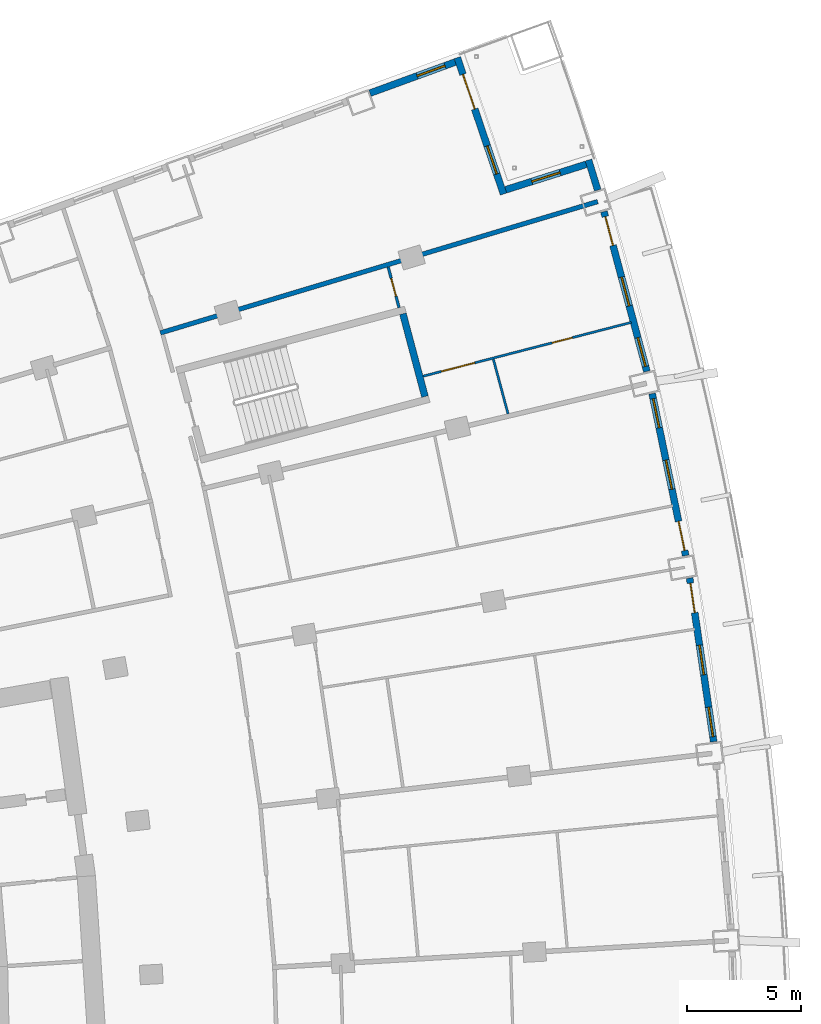
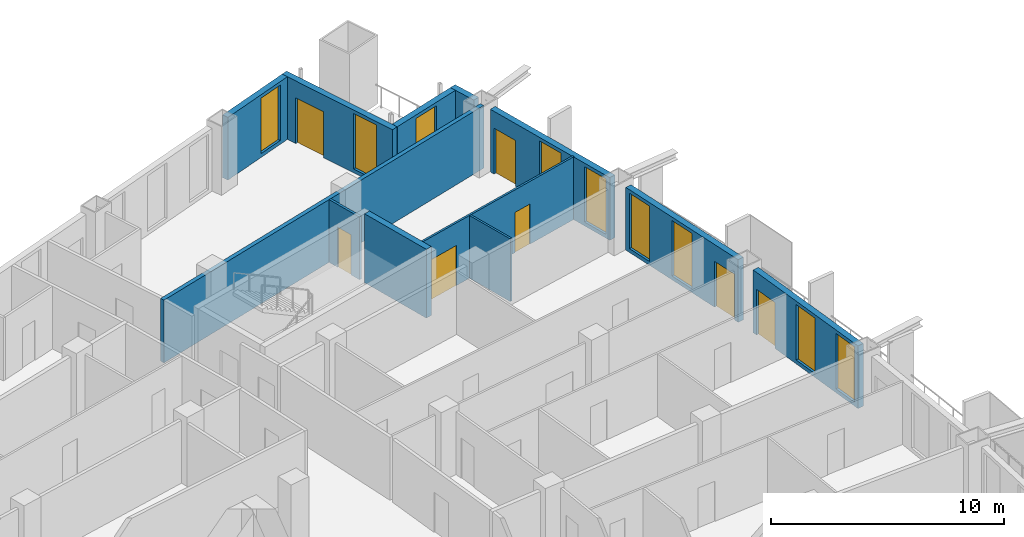
# One storey, part 21 of 25: 12 walls, 9 windows, 7 doors, 16 openings.
"""IFC4 building model written with IfcOpenShell, lengths in metres."""

from ifc_helpers import new_model, si_unit, direction, frame, frame_2d, origin, place, context, subcontext, project, spatial, rectangle, extrude, material, layer, layer_set, type_object, element, fill, save


model = new_model("IFC4")

# Units and contexts
model_context = context("Model", 3, precision=1e-05, world=origin(), true_north=direction((0.0, 1.0)))
body_context = subcontext(model_context, "Body", "Model", "MODEL_VIEW")
ifc_project = project(units=[si_unit("LENGTHUNIT", "METRE"), si_unit("AREAUNIT", "SQUARE_METRE"), si_unit("VOLUMEUNIT", "CUBIC_METRE"), si_unit("PLANEANGLEUNIT", "RADIAN"), si_unit("MASSUNIT", "GRAM", prefix="KILO")], contexts=[model_context])

# Site, building, storey
site_placement = place(None, origin())
site = spatial("IfcSite", under=ifc_project, at=site_placement, CompositionType="ELEMENT")
building_placement = place(site_placement, origin())
building = spatial("IfcBuilding", under=site, at=building_placement, Name="Alderwake Tower", CompositionType="ELEMENT")
storey_placement = place(building_placement, frame((0.0, 0.0, 107.60009765625)))
storey = spatial("IfcBuildingStorey", under=building, at=storey_placement, Name="L26", CompositionType="ELEMENT", Elevation=107.60009765625)

# Wall
ifc_material_1 = material(Name="Concrete C70/85", Category="concrete")
ifc_layer_1 = layer(ifc_material_1, 0.300048828125)
ifc_layer_set_1 = layer_set([ifc_layer_1], Name="Core wall stair enclosure 300 C70-85")
wall_type_1 = type_object("IfcWallType", Name="Core wall stair enclosure 300 C70-85", PredefinedType="SHEAR", material=ifc_layer_set_1)
wall_1_placement = place(storey_placement, frame((47.581298828125, 93.041748046875, 0.0), z_axis=(0.0, 0.0, 1.0), x_axis=(-0.257366821694, 0.966313778796, 0.0)))
element("IfcWall", 1, at=wall_1_placement, inside=storey, type_object=wall_type_1, Name="Core wall CW.081", PredefinedType="SHEAR", context=body_context, shape_type="SweptSolid", body=[
    extrude(rectangle(XDim=3.749755859375, YDim=0.300048828125, at=frame_2d((1.875, 0.0))), origin(), (0.0, 0.0, 1.0), 3.599853515625),
])

# Wall, openings, door, windows
ifc_material_2 = material(Name="Precast concrete C50/60 spandrel panel", Category="concrete")
ifc_layer_2 = layer(ifc_material_2, 0.300048828125)
ifc_layer_set_2 = layer_set([ifc_layer_2], Name="External wall EW1 Precast concrete C50/60 spandrel")
wall_type_2 = type_object("IfcWallType", Name="External wall EW1 Precast concrete C50/60 spandrel", PredefinedType="SOLIDWALL", material=ifc_layer_set_2)
wall_2_placement = place(storey_placement, frame((60.21728515625, 77.935302734375, 0.0), z_axis=(0.0, 0.0, 1.0), x_axis=(-0.145324114128, 0.989384102284, 0.0)))
wall_2 = element("IfcWall", 2, at=wall_2_placement, inside=storey, type_object=wall_type_2, Name="External wall 19", PredefinedType="SOLIDWALL", context=body_context, shape_type="SweptSolid", body=[
    extrude(rectangle(XDim=7.24072265625, YDim=0.300048828125, at=frame_2d((3.620361328125, 0.0))), origin(), (0.0, 0.0, 1.0), 3.27978515625),
])
opening_1_placement = place(wall_2_placement, frame((0.22900390625, 0.0, 0.199951171875)))
opening_1 = element("IfcOpeningElement", 3, at=opening_1_placement, cuts=wall_2, Name="Opening W1", PredefinedType="OPENING", context=body_context, shape_type="SweptSolid", body=[
    extrude(rectangle(XDim=1.300048828125, YDim=2.89990234375, at=frame_2d((0.64990234375, 1.449951171875))), frame((0.0, 0.159912109375, 0.0), z_axis=(0.0, -1.0, 0.0), x_axis=(1.0, 0.0, 0.0)), (0.0, 0.0, 1.0), 0.320068359375),
])
opening_2_placement = place(wall_2_placement, frame((2.97021484375, 0.0, 0.199951171875)))
opening_2 = element("IfcOpeningElement", 4, at=opening_2_placement, cuts=wall_2, Name="Opening W1", PredefinedType="OPENING", context=body_context, shape_type="SweptSolid", body=[
    extrude(rectangle(XDim=1.300048828125, YDim=2.89990234375, at=frame_2d((0.64990234375, 1.449951171875))), frame((0.0, 0.159912109375, 0.0), z_axis=(0.0, -1.0, 0.0), x_axis=(1.0, 0.0, 0.0)), (0.0, 0.0, 1.0), 0.320068359375),
])
opening_3_placement = place(wall_2_placement, frame((5.711669921875, 0.0, 0.0)))
opening_3 = element("IfcOpeningElement", 5, at=opening_3_placement, cuts=wall_2, Name="Opening D09", PredefinedType="OPENING", context=body_context, shape_type="SweptSolid", body=[
    extrude(rectangle(XDim=1.300048828125, YDim=2.39990234375, at=frame_2d((0.64990234375, 1.199951171875))), frame((0.0, 0.159912109375, 0.0), z_axis=(0.0, -1.0, 0.0), x_axis=(1.0, 0.0, 0.0)), (0.0, 0.0, 1.0), 0.320068359375),
])
ifc_material_3 = material(Name="Bronze tinted glass in aluminium frame", Category="aluminium")
door_type_1 = type_object("IfcDoorType", Name="Balcony door BD sliding", OperationType="SLIDING_TO_LEFT", PredefinedType="DOOR", material=ifc_material_3)
door_1_placement = place(opening_3_placement, origin())
door_1 = element("IfcDoor", 6, at=door_1_placement, inside=storey, type_object=door_type_1, Name="Door D09", OperationType="SLIDING_TO_LEFT", OverallHeight=2.39990234375, OverallWidth=1.300048828125, PredefinedType="DOOR", context=body_context, shape_type="SweptSolid", body=[
    extrude(rectangle(XDim=1.300048828125, YDim=2.39990234375, at=frame_2d((0.64990234375, 1.199951171875))), frame((0.0, 0.02490234375, 0.0), z_axis=(0.0, -1.0, 0.0), x_axis=(1.0, 0.0, 0.0)), (0.0, 0.0, 1.0), 0.050048828125),
])
fill(opening_3, door_1)
ifc_material_4 = material(Name="Bronze tinted glass in aluminium frame", Category="aluminium")
window_type = type_object("IfcWindowType", Name="Window W1 tall fixed and vent", PartitioningType="DOUBLE_PANEL_VERTICAL", PredefinedType="WINDOW", material=ifc_material_4)
window_1_placement = place(opening_1_placement, origin())
window_1 = element("IfcWindow", 7, at=window_1_placement, inside=storey, type_object=window_type, Name="Window W1 tall fixed and vent", OverallHeight=2.89990234375, OverallWidth=1.300048828125, PartitioningType="DOUBLE_PANEL_VERTICAL", PredefinedType="WINDOW", context=body_context, shape_type="SweptSolid", body=[
    extrude(rectangle(XDim=1.300048828125, YDim=2.89990234375, at=frame_2d((0.64990234375, 1.449951171875))), frame((0.0, 0.030029296875, 0.0), z_axis=(0.0, -1.0, 0.0), x_axis=(1.0, 0.0, 0.0)), (0.0, 0.0, 1.0), 0.06005859375),
])
fill(opening_1, window_1)
window_2_placement = place(opening_2_placement, origin())
window_2 = element("IfcWindow", 8, at=window_2_placement, inside=storey, type_object=window_type, Name="Window W1 tall fixed and vent", OverallHeight=2.89990234375, OverallWidth=1.300048828125, PartitioningType="DOUBLE_PANEL_VERTICAL", PredefinedType="WINDOW", context=body_context, shape_type="SweptSolid", body=[
    extrude(rectangle(XDim=1.300048828125, YDim=2.89990234375, at=frame_2d((0.64990234375, 1.449951171875))), frame((0.0, 0.030029296875, 0.0), z_axis=(0.0, -1.0, 0.0), x_axis=(1.0, 0.0, 0.0)), (0.0, 0.0, 1.0), 0.06005859375),
])
fill(opening_2, window_2)

wall_3_placement = place(storey_placement, frame((58.991455078125, 86.081298828125, 0.0), z_axis=(0.0, 0.0, 1.0), x_axis=(-0.202744971344, 0.97923157455, 0.0)))
wall_3 = element("IfcWall", 9, at=wall_3_placement, inside=storey, type_object=wall_type_2, Name="External wall 20", PredefinedType="SOLIDWALL", context=body_context, shape_type="SweptSolid", body=[
    extrude(rectangle(XDim=7.24072265625, YDim=0.300048828125, at=frame_2d((3.620361328125, 0.0))), origin(), (0.0, 0.0, 1.0), 3.27978515625),
])
opening_4_placement = place(wall_3_placement, frame((0.22900390625, 0.0, 0.0)))
opening_4 = element("IfcOpeningElement", 10, at=opening_4_placement, cuts=wall_3, Name="Opening D10", PredefinedType="OPENING", context=body_context, shape_type="SweptSolid", body=[
    extrude(rectangle(XDim=1.300048828125, YDim=2.39990234375, at=frame_2d((0.64990234375, 1.199951171875))), frame((0.0, 0.159912109375, 0.0), z_axis=(0.0, -1.0, 0.0), x_axis=(1.0, 0.0, 0.0)), (0.0, 0.0, 1.0), 0.320068359375),
])
opening_5_placement = place(wall_3_placement, frame((2.970458984375, 0.0, 0.199951171875)))
opening_5 = element("IfcOpeningElement", 11, at=opening_5_placement, cuts=wall_3, Name="Opening W1", PredefinedType="OPENING", context=body_context, shape_type="SweptSolid", body=[
    extrude(rectangle(XDim=1.300048828125, YDim=2.89990234375, at=frame_2d((0.64990234375, 1.449951171875))), frame((0.0, 0.159912109375, 0.0), z_axis=(0.0, -1.0, 0.0), x_axis=(1.0, 0.0, 0.0)), (0.0, 0.0, 1.0), 0.320068359375),
])
opening_6_placement = place(wall_3_placement, frame((5.711669921875, 0.0, 0.199951171875)))
opening_6 = element("IfcOpeningElement", 12, at=opening_6_placement, cuts=wall_3, Name="Opening W1", PredefinedType="OPENING", context=body_context, shape_type="SweptSolid", body=[
    extrude(rectangle(XDim=1.300048828125, YDim=2.89990234375, at=frame_2d((0.64990234375, 1.449951171875))), frame((0.0, 0.159912109375, 0.0), z_axis=(0.0, -1.0, 0.0), x_axis=(1.0, 0.0, 0.0)), (0.0, 0.0, 1.0), 0.320068359375),
])
door_2_placement = place(opening_4_placement, origin())
door_2 = element("IfcDoor", 13, at=door_2_placement, inside=storey, type_object=door_type_1, Name="Door D10", OperationType="SLIDING_TO_LEFT", OverallHeight=2.39990234375, OverallWidth=1.300048828125, PredefinedType="DOOR", context=body_context, shape_type="SweptSolid", body=[
    extrude(rectangle(XDim=1.300048828125, YDim=2.39990234375, at=frame_2d((0.64990234375, 1.199951171875))), frame((0.0, 0.02490234375, 0.0), z_axis=(0.0, -1.0, 0.0), x_axis=(1.0, 0.0, 0.0)), (0.0, 0.0, 1.0), 0.050048828125),
])
fill(opening_4, door_2)
window_3_placement = place(opening_5_placement, origin())
window_3 = element("IfcWindow", 14, at=window_3_placement, inside=storey, type_object=window_type, Name="Window W1 tall fixed and vent", OverallHeight=2.89990234375, OverallWidth=1.300048828125, PartitioningType="DOUBLE_PANEL_VERTICAL", PredefinedType="WINDOW", context=body_context, shape_type="SweptSolid", body=[
    extrude(rectangle(XDim=1.300048828125, YDim=2.89990234375, at=frame_2d((0.64990234375, 1.449951171875))), frame((0.0, 0.030029296875, 0.0), z_axis=(0.0, -1.0, 0.0), x_axis=(1.0, 0.0, 0.0)), (0.0, 0.0, 1.0), 0.06005859375),
])
fill(opening_5, window_3)
window_4_placement = place(opening_6_placement, origin())
window_4 = element("IfcWindow", 15, at=window_4_placement, inside=storey, type_object=window_type, Name="Window W1 tall fixed and vent", OverallHeight=2.89990234375, OverallWidth=1.300048828125, PartitioningType="DOUBLE_PANEL_VERTICAL", PredefinedType="WINDOW", context=body_context, shape_type="SweptSolid", body=[
    extrude(rectangle(XDim=1.300048828125, YDim=2.89990234375, at=frame_2d((0.64990234375, 1.449951171875))), frame((0.0, 0.030029296875, 0.0), z_axis=(0.0, -1.0, 0.0), x_axis=(1.0, 0.0, 0.0)), (0.0, 0.0, 1.0), 0.06005859375),
])
fill(opening_6, window_4)

wall_4_placement = place(storey_placement, frame((57.292724609375, 94.141845703125, 0.0), z_axis=(0.0, 0.0, 1.0), x_axis=(-0.259492183522, 0.965745207957, 0.0)))
wall_4 = element("IfcWall", 16, at=wall_4_placement, inside=storey, type_object=wall_type_2, Name="External wall 21", PredefinedType="SOLIDWALL", context=body_context, shape_type="SweptSolid", body=[
    extrude(rectangle(XDim=7.24072265625, YDim=0.300048828125, at=frame_2d((3.620361328125, 0.0))), origin(), (0.0, 0.0, 1.0), 3.27978515625),
])
opening_7_placement = place(wall_4_placement, frame((0.22900390625, 0.0, 0.199951171875)))
opening_7 = element("IfcOpeningElement", 17, at=opening_7_placement, cuts=wall_4, Name="Opening W1", PredefinedType="OPENING", context=body_context, shape_type="SweptSolid", body=[
    extrude(rectangle(XDim=1.300048828125, YDim=2.89990234375, at=frame_2d((0.64990234375, 1.449951171875))), frame((0.0, 0.159912109375, 0.0), z_axis=(0.0, -1.0, 0.0), x_axis=(1.0, 0.0, 0.0)), (0.0, 0.0, 1.0), 0.320068359375),
])
opening_8_placement = place(wall_4_placement, frame((2.97021484375, 0.0, 0.199951171875)))
opening_8 = element("IfcOpeningElement", 18, at=opening_8_placement, cuts=wall_4, Name="Opening W1", PredefinedType="OPENING", context=body_context, shape_type="SweptSolid", body=[
    extrude(rectangle(XDim=1.300048828125, YDim=2.89990234375, at=frame_2d((0.64990234375, 1.449951171875))), frame((0.0, 0.159912109375, 0.0), z_axis=(0.0, -1.0, 0.0), x_axis=(1.0, 0.0, 0.0)), (0.0, 0.0, 1.0), 0.320068359375),
])
opening_9_placement = place(wall_4_placement, frame((5.711669921875, 0.0, 0.0)))
opening_9 = element("IfcOpeningElement", 19, at=opening_9_placement, cuts=wall_4, Name="Opening D11", PredefinedType="OPENING", context=body_context, shape_type="SweptSolid", body=[
    extrude(rectangle(XDim=1.300048828125, YDim=2.39990234375, at=frame_2d((0.64990234375, 1.199951171875))), frame((0.0, 0.159912109375, 0.0), z_axis=(0.0, -1.0, 0.0), x_axis=(1.0, 0.0, 0.0)), (0.0, 0.0, 1.0), 0.320068359375),
])
door_3_placement = place(opening_9_placement, origin())
door_3 = element("IfcDoor", 20, at=door_3_placement, inside=storey, type_object=door_type_1, Name="Door D11", OperationType="SLIDING_TO_LEFT", OverallHeight=2.39990234375, OverallWidth=1.300048828125, PredefinedType="DOOR", context=body_context, shape_type="SweptSolid", body=[
    extrude(rectangle(XDim=1.300048828125, YDim=2.39990234375, at=frame_2d((0.64990234375, 1.199951171875))), frame((0.0, 0.02490234375, 0.0), z_axis=(0.0, -1.0, 0.0), x_axis=(1.0, 0.0, 0.0)), (0.0, 0.0, 1.0), 0.050048828125),
])
fill(opening_9, door_3)
window_5_placement = place(opening_7_placement, origin())
window_5 = element("IfcWindow", 21, at=window_5_placement, inside=storey, type_object=window_type, Name="Window W1 tall fixed and vent", OverallHeight=2.89990234375, OverallWidth=1.300048828125, PartitioningType="DOUBLE_PANEL_VERTICAL", PredefinedType="WINDOW", context=body_context, shape_type="SweptSolid", body=[
    extrude(rectangle(XDim=1.300048828125, YDim=2.89990234375, at=frame_2d((0.64990234375, 1.449951171875))), frame((0.0, 0.030029296875, 0.0), z_axis=(0.0, -1.0, 0.0), x_axis=(1.0, 0.0, 0.0)), (0.0, 0.0, 1.0), 0.06005859375),
])
fill(opening_7, window_5)
window_6_placement = place(opening_8_placement, origin())
window_6 = element("IfcWindow", 22, at=window_6_placement, inside=storey, type_object=window_type, Name="Window W1 tall fixed and vent", OverallHeight=2.89990234375, OverallWidth=1.300048828125, PartitioningType="DOUBLE_PANEL_VERTICAL", PredefinedType="WINDOW", context=body_context, shape_type="SweptSolid", body=[
    extrude(rectangle(XDim=1.300048828125, YDim=2.89990234375, at=frame_2d((0.64990234375, 1.449951171875))), frame((0.0, 0.030029296875, 0.0), z_axis=(0.0, -1.0, 0.0), x_axis=(1.0, 0.0, 0.0)), (0.0, 0.0, 1.0), 0.06005859375),
])
fill(opening_8, window_6)

# Wall
wall_5_placement = place(storey_placement, frame((55.142822265625, 102.075927734375, 0.0), z_axis=(0.0, 0.0, 1.0), x_axis=(-0.294421732996, 0.955675595137, 0.0)))
element("IfcWall", 23, at=wall_5_placement, inside=storey, type_object=wall_type_2, Name="External wall 22", PredefinedType="SOLIDWALL", context=body_context, shape_type="SweptSolid", body=[
    extrude(rectangle(XDim=1.37890625, YDim=0.300048828125, at=frame_2d((0.689453125, 0.0))), origin(), (0.0, 0.0, 1.0), 3.27978515625),
])

# Wall, opening, window
ifc_material_5 = material(Name="Bronze metal cladding on lightweight framing")
ifc_layer_3 = layer(ifc_material_5, 0.300048828125)
ifc_layer_set_3 = layer_set([ifc_layer_3], Name="External wall EW2 bronze metal cladding")
wall_type_3 = type_object("IfcWallType", Name="External wall EW2 bronze metal cladding", PredefinedType="SOLIDWALL", material=ifc_layer_set_3)
wall_6_placement = place(storey_placement, frame((54.6376953125, 103.205078125, 0.0), z_axis=(0.0, 0.0, 1.0), x_axis=(-0.953466730622, -0.301498248083, 0.0)))
wall_6 = element("IfcWall", 24, at=wall_6_placement, inside=storey, type_object=wall_type_3, Name="External wall 23", PredefinedType="SOLIDWALL", context=body_context, shape_type="SweptSolid", body=[
    extrude(rectangle(XDim=3.694091796875, YDim=0.300048828125, at=frame_2d((1.84716796875, 0.0))), origin(), (0.0, 0.0, 1.0), 3.27978515625),
])
opening_10_placement = place(wall_6_placement, frame((1.197021484375, 0.0, 0.199951171875)))
opening_10 = element("IfcOpeningElement", 25, at=opening_10_placement, cuts=wall_6, Name="Opening W1", PredefinedType="OPENING", context=body_context, shape_type="SweptSolid", body=[
    extrude(rectangle(XDim=1.300048828125, YDim=2.89990234375, at=frame_2d((0.64990234375, 1.449951171875))), frame((0.0, 0.159912109375, 0.0), z_axis=(0.0, -1.0, 0.0), x_axis=(1.0, 0.0, 0.0)), (0.0, 0.0, 1.0), 0.320068359375),
])
window_7_placement = place(opening_10_placement, origin())
window_7 = element("IfcWindow", 26, at=window_7_placement, inside=storey, type_object=window_type, Name="Window W1 tall fixed and vent", OverallHeight=2.89990234375, OverallWidth=1.300048828125, PartitioningType="DOUBLE_PANEL_VERTICAL", PredefinedType="WINDOW", context=body_context, shape_type="SweptSolid", body=[
    extrude(rectangle(XDim=1.300048828125, YDim=2.89990234375, at=frame_2d((0.64990234375, 1.449951171875))), frame((0.0, 0.030029296875, 0.0), z_axis=(0.0, -1.0, 0.0), x_axis=(1.0, 0.0, 0.0)), (0.0, 0.0, 1.0), 0.06005859375),
])
fill(opening_10, window_7)

# Wall, openings, door, window
wall_7_placement = place(storey_placement, frame((51.0205078125, 101.904052734375, 0.0), z_axis=(0.0, 0.0, 1.0), x_axis=(-0.320894446664, 0.947114963508, 0.0)))
wall_7 = element("IfcWall", 27, at=wall_7_placement, inside=storey, type_object=wall_type_3, Name="External wall 24", PredefinedType="SOLIDWALL", context=body_context, shape_type="SweptSolid", body=[
    extrude(rectangle(XDim=6.30419921875, YDim=0.300048828125, at=frame_2d((3.152099609375, 0.0))), origin(), (0.0, 0.0, 1.0), 3.27978515625),
])
opening_11_placement = place(wall_7_placement, frame((0.926025390625, 0.0, 0.199951171875)))
opening_11 = element("IfcOpeningElement", 28, at=opening_11_placement, cuts=wall_7, Name="Opening W1", PredefinedType="OPENING", context=body_context, shape_type="SweptSolid", body=[
    extrude(rectangle(XDim=1.300048828125, YDim=2.89990234375, at=frame_2d((0.64990234375, 1.449951171875))), frame((0.0, 0.159912109375, 0.0), z_axis=(0.0, -1.0, 0.0), x_axis=(1.0, 0.0, 0.0)), (0.0, 0.0, 1.0), 0.320068359375),
])
opening_12_placement = place(wall_7_placement, frame((3.92822265625, 0.0, 0.0)))
opening_12 = element("IfcOpeningElement", 29, at=opening_12_placement, cuts=wall_7, Name="Opening D12", PredefinedType="OPENING", context=body_context, shape_type="SweptSolid", body=[
    extrude(rectangle(XDim=1.60009765625, YDim=2.39990234375, at=frame_2d((0.800048828125, 1.199951171875))), frame((0.0, 0.159912109375, 0.0), z_axis=(0.0, -1.0, 0.0), x_axis=(1.0, 0.0, 0.0)), (0.0, 0.0, 1.0), 0.320068359375),
])
ifc_material_6 = material(Name="Bronze tinted glass in aluminium frame", Category="aluminium")
door_type_2 = type_object("IfcDoorType", Name="Terrace door TD sliding", OperationType="SLIDING_TO_LEFT", PredefinedType="DOOR", material=ifc_material_6)
door_4_placement = place(opening_12_placement, origin())
door_4 = element("IfcDoor", 30, at=door_4_placement, inside=storey, type_object=door_type_2, Name="Door D12", OperationType="SLIDING_TO_LEFT", OverallHeight=2.39990234375, OverallWidth=1.60009765625, PredefinedType="DOOR", context=body_context, shape_type="SweptSolid", body=[
    extrude(rectangle(XDim=1.60009765625, YDim=2.39990234375, at=frame_2d((0.800048828125, 1.199951171875))), frame((0.0, 0.02490234375, 0.0), z_axis=(0.0, -1.0, 0.0), x_axis=(1.0, 0.0, 0.0)), (0.0, 0.0, 1.0), 0.050048828125),
])
fill(opening_12, door_4)
window_8_placement = place(opening_11_placement, origin())
window_8 = element("IfcWindow", 31, at=window_8_placement, inside=storey, type_object=window_type, Name="Window W1 tall fixed and vent", OverallHeight=2.89990234375, OverallWidth=1.300048828125, PartitioningType="DOUBLE_PANEL_VERTICAL", PredefinedType="WINDOW", context=body_context, shape_type="SweptSolid", body=[
    extrude(rectangle(XDim=1.300048828125, YDim=2.89990234375, at=frame_2d((0.64990234375, 1.449951171875))), frame((0.0, 0.030029296875, 0.0), z_axis=(0.0, -1.0, 0.0), x_axis=(1.0, 0.0, 0.0)), (0.0, 0.0, 1.0), 0.06005859375),
])
fill(opening_11, window_8)

# Wall, opening, window
wall_8_placement = place(storey_placement, frame((48.90478515625, 107.681396484375, 0.0), z_axis=(0.0, 0.0, 1.0), x_axis=(-0.939358262934, -0.342937390578, 0.0)))
wall_8 = element("IfcWall", 32, at=wall_8_placement, inside=storey, type_object=wall_type_3, Name="External wall 25", PredefinedType="SOLIDWALL", context=body_context, shape_type="SweptSolid", body=[
    extrude(rectangle(XDim=3.970947265625, YDim=0.300048828125, at=frame_2d((1.9853515625, 0.0))), origin(), (0.0, 0.0, 1.0), 3.27978515625),
])
opening_13_placement = place(wall_8_placement, frame((0.474609375, 0.0, 0.199951171875)))
opening_13 = element("IfcOpeningElement", 33, at=opening_13_placement, cuts=wall_8, Name="Opening W1", PredefinedType="OPENING", context=body_context, shape_type="SweptSolid", body=[
    extrude(rectangle(XDim=1.300048828125, YDim=2.89990234375, at=frame_2d((0.64990234375, 1.449951171875))), frame((0.0, 0.159912109375, 0.0), z_axis=(0.0, -1.0, 0.0), x_axis=(1.0, 0.0, 0.0)), (0.0, 0.0, 1.0), 0.320068359375),
])
window_9_placement = place(opening_13_placement, origin())
window_9 = element("IfcWindow", 34, at=window_9_placement, inside=storey, type_object=window_type, Name="Window W1 tall fixed and vent", OverallHeight=2.89990234375, OverallWidth=1.300048828125, PartitioningType="DOUBLE_PANEL_VERTICAL", PredefinedType="WINDOW", context=body_context, shape_type="SweptSolid", body=[
    extrude(rectangle(XDim=1.300048828125, YDim=2.89990234375, at=frame_2d((0.64990234375, 1.449951171875))), frame((0.0, 0.030029296875, 0.0), z_axis=(0.0, -1.0, 0.0), x_axis=(1.0, 0.0, 0.0)), (0.0, 0.0, 1.0), 0.06005859375),
])
fill(opening_13, window_9)

# Wall
ifc_material_7 = material(Name="Dense block masonry wall", Category="masonry")
ifc_layer_4 = layer(ifc_material_7, 0.199951171875)
ifc_layer_set_4 = layer_set([ifc_layer_4], Name="Party wall 200")
wall_type_4 = type_object("IfcWallType", Name="Party wall 200", PredefinedType="SOLIDWALL", material=ifc_layer_set_4)
wall_9_placement = place(storey_placement, frame((55.139892578125, 101.573974609375, 0.0), z_axis=(0.0, 0.0, 1.0), x_axis=(-0.957737789931, -0.287642704997, 0.0)))
element("IfcWall", 35, at=wall_9_placement, inside=storey, type_object=wall_type_4, Name="WL/L26/W10", PredefinedType="SOLIDWALL", context=body_context, shape_type="SweptSolid", body=[
    extrude(rectangle(XDim=19.97998046875, YDim=0.199951171875, at=frame_2d((9.989990234375, 0.0))), origin(), (0.0, 0.0, 1.0), 3.27978515625),
])

# Wall, openings, doors
ifc_material_8 = material(Name="Gypsum board on metal studs")
ifc_layer_5 = layer(ifc_material_8, 0.10009765625)
ifc_layer_set_5 = layer_set([ifc_layer_5], Name="Unit partition 100")
wall_type_5 = type_object("IfcWallType", Name="Unit partition 100", PredefinedType="PARTITIONING", material=ifc_layer_set_5)
wall_10_placement = place(storey_placement, frame((47.4990234375, 93.93310546875, 0.0), z_axis=(0.0, 0.0, 1.0), x_axis=(0.968200762056, 0.250174507803, 0.0)))
wall_10 = element("IfcWall", 36, at=wall_10_placement, inside=storey, type_object=wall_type_5, Name="WL/L26/W81", PredefinedType="PARTITIONING", context=body_context, shape_type="SweptSolid", body=[
    extrude(rectangle(XDim=9.413330078125, YDim=0.10009765625, at=frame_2d((4.70654296875, 0.0))), origin(), (0.0, 0.0, 1.0), 3.27978515625),
])
opening_14_placement = place(wall_10_placement, frame((0.831787109375, 0.0, 0.0)))
opening_14 = element("IfcOpeningElement", 37, at=opening_14_placement, cuts=wall_10, Name="Opening R07-U02.2", PredefinedType="OPENING", context=body_context, shape_type="SweptSolid", body=[
    extrude(rectangle(XDim=1.5, YDim=2.10009765625, at=frame_2d((0.75, 1.050048828125))), frame((0.0, 0.06005859375, 0.0), z_axis=(0.0, -1.0, 0.0), x_axis=(1.0, 0.0, 0.0)), (0.0, 0.0, 1.0), 0.1201171875),
])
opening_15_placement = place(wall_10_placement, frame((5.838134765625, 0.0, 0.0)))
opening_15 = element("IfcOpeningElement", 38, at=opening_15_placement, cuts=wall_10, Name="Opening R07-U02.3", PredefinedType="OPENING", context=body_context, shape_type="SweptSolid", body=[
    extrude(rectangle(XDim=0.89990234375, YDim=2.10009765625, at=frame_2d((0.449951171875, 1.050048828125))), frame((0.0, 0.06005859375, 0.0), z_axis=(0.0, -1.0, 0.0), x_axis=(1.0, 0.0, 0.0)), (0.0, 0.0, 1.0), 0.1201171875),
])
ifc_material_9 = material(Name="Painted timber leaves", Category="wood")
door_type_3 = type_object("IfcDoorType", Name="Double leaf door 1500", OperationType="DOUBLE_DOOR_SINGLE_SWING", PredefinedType="DOOR", material=ifc_material_9)
door_5_placement = place(opening_14_placement, origin())
door_5 = element("IfcDoor", 39, at=door_5_placement, inside=storey, type_object=door_type_3, Name="DR/L26/U02.2", OperationType="DOUBLE_DOOR_SINGLE_SWING", OverallHeight=2.10009765625, OverallWidth=1.5, PredefinedType="DOOR", context=body_context, shape_type="SweptSolid", body=[
    extrude(rectangle(XDim=1.5, YDim=2.10009765625, at=frame_2d((0.75, 1.050048828125))), frame((0.0, 0.02490234375, 0.0), z_axis=(0.0, -1.0, 0.0), x_axis=(1.0, 0.0, 0.0)), (0.0, 0.0, 1.0), 0.050048828125),
])
fill(opening_14, door_5)
ifc_material_10 = material(Name="Painted timber leaf", Category="wood")
door_type_4 = type_object("IfcDoorType", Name="Room door 900", OperationType="SINGLE_SWING_LEFT", PredefinedType="DOOR", material=ifc_material_10)
door_6_placement = place(opening_15_placement, origin())
door_6 = element("IfcDoor", 40, at=door_6_placement, inside=storey, type_object=door_type_4, Name="DR/L26/U02.3", OperationType="SINGLE_SWING_LEFT", OverallHeight=2.10009765625, OverallWidth=0.89990234375, PredefinedType="DOOR", context=body_context, shape_type="SweptSolid", body=[
    extrude(rectangle(XDim=0.89990234375, YDim=2.10009765625, at=frame_2d((0.449951171875, 1.050048828125))), frame((0.0, 0.02490234375, 0.0), z_axis=(0.0, -1.0, 0.0), x_axis=(1.0, 0.0, 0.0)), (0.0, 0.0, 1.0), 0.050048828125),
])
fill(opening_15, door_6)

# Wall
wall_11_placement = place(storey_placement, frame((51.217041015625, 92.28662109375, 0.0), z_axis=(0.0, 0.0, 1.0), x_axis=(-0.259442778972, 0.965758481422, 0.0)))
element("IfcWall", 41, at=wall_11_placement, inside=storey, type_object=wall_type_5, Name="WL/L26/W85", PredefinedType="PARTITIONING", context=body_context, shape_type="SweptSolid", body=[
    extrude(rectangle(XDim=2.474853515625, YDim=0.10009765625, at=frame_2d((1.2373046875, 0.0))), origin(), (0.0, 0.0, 1.0), 3.27978515625),
])

# Wall, opening, door
ifc_material_11 = material(Name="Moisture resistant gypsum board on metal studs")
ifc_layer_6 = layer(ifc_material_11, 0.1201171875)
ifc_layer_set_6 = layer_set([ifc_layer_6], Name="Wet room partition 120")
wall_type_6 = type_object("IfcWallType", Name="Wet room partition 120", PredefinedType="PARTITIONING", material=ifc_layer_set_6)
wall_12_placement = place(storey_placement, frame((46.448974609375, 96.929931640625, 0.0), z_axis=(0.0, 0.0, 1.0), x_axis=(-0.258764710752, 0.965940383497, 0.0)))
wall_12 = element("IfcWall", 42, at=wall_12_placement, inside=storey, type_object=wall_type_6, Name="WL/L26/W61", PredefinedType="PARTITIONING", context=body_context, shape_type="SweptSolid", body=[
    extrude(rectangle(XDim=1.847412109375, YDim=0.1201171875, at=frame_2d((0.923828125, 0.0))), origin(), (0.0, 0.0, 1.0), 3.27978515625),
])
opening_16_placement = place(wall_12_placement, frame((0.524169921875, 0.0, 0.0)))
opening_16 = element("IfcOpeningElement", 43, at=opening_16_placement, cuts=wall_12, Name="Opening R07-U02.4", PredefinedType="OPENING", context=body_context, shape_type="SweptSolid", body=[
    extrude(rectangle(XDim=0.800048828125, YDim=2.10009765625, at=frame_2d((0.39990234375, 1.050048828125))), frame((0.0, 0.070068359375, 0.0), z_axis=(0.0, -1.0, 0.0), x_axis=(1.0, 0.0, 0.0)), (0.0, 0.0, 1.0), 0.14013671875),
])
ifc_material_12 = material(Name="Painted timber leaf", Category="wood")
door_type_5 = type_object("IfcDoorType", Name="Bathroom door 800", OperationType="SINGLE_SWING_LEFT", PredefinedType="DOOR", material=ifc_material_12)
door_7_placement = place(opening_16_placement, origin())
door_7 = element("IfcDoor", 44, at=door_7_placement, inside=storey, type_object=door_type_5, Name="DR/L26/U02.4", OperationType="SINGLE_SWING_LEFT", OverallHeight=2.10009765625, OverallWidth=0.800048828125, PredefinedType="DOOR", context=body_context, shape_type="SweptSolid", body=[
    extrude(rectangle(XDim=0.800048828125, YDim=2.10009765625, at=frame_2d((0.39990234375, 1.050048828125))), frame((0.0, 0.02490234375, 0.0), z_axis=(0.0, -1.0, 0.0), x_axis=(1.0, 0.0, 0.0)), (0.0, 0.0, 1.0), 0.050048828125),
])
fill(opening_16, door_7)

save(model, "model.ifc")
